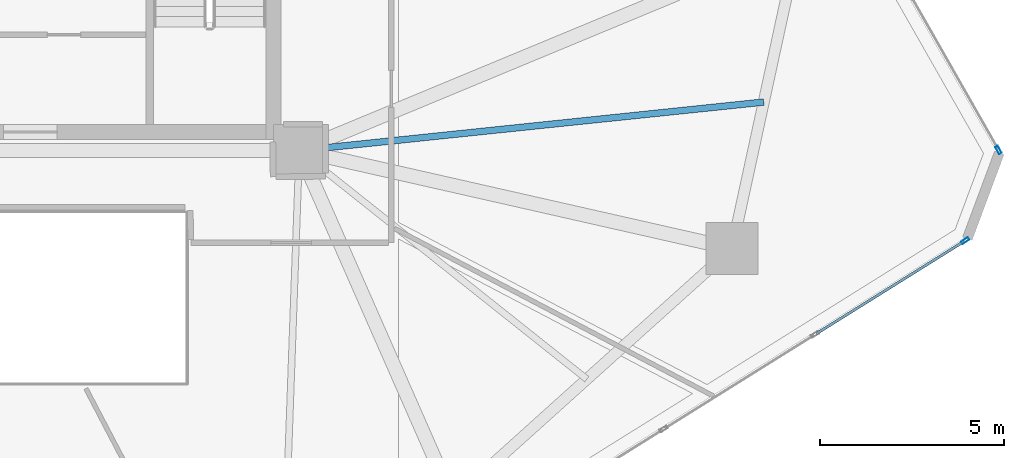
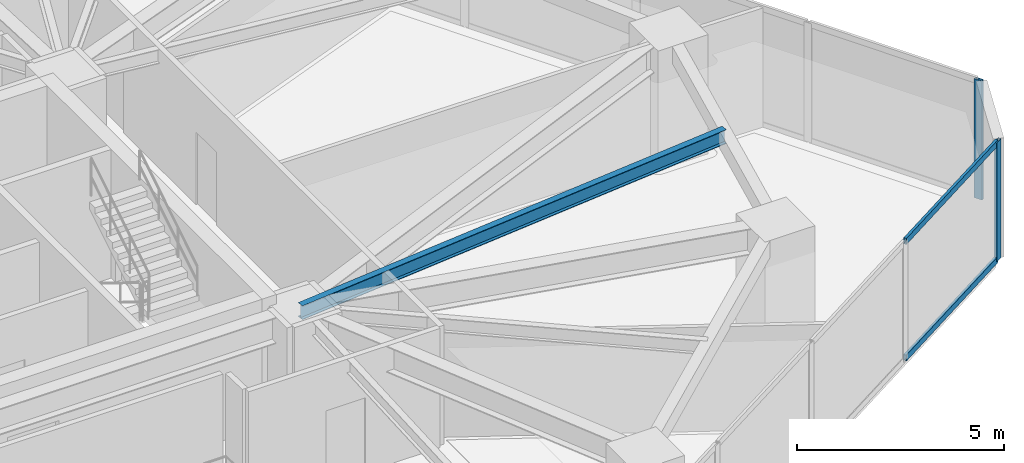
# One storey, part 10 of 22: 4 members, 1 beam, 2 elements without a shape of their own.
"""IFC4 building model written with IfcOpenShell, lengths in metres."""

from ifc_helpers import new_model, si_unit, direction, frame, origin, origin_2d, place, context, subcontext, project, spatial, hollow_rectangle, i_section, extrude, source, transform, mapped, material, layer, layer_set, material_profile, profile_set, type_object, type_shapes, element, aggregate, save


model = new_model("IFC4")

# Units and contexts
model_context = context("Model", 3, precision=1e-05, world=origin(), true_north=direction((0.0, 1.0)))
body_context = subcontext(model_context, "Body", "Model", "MODEL_VIEW")
ifc_project = project(units=[si_unit("LENGTHUNIT", "METRE"), si_unit("AREAUNIT", "SQUARE_METRE"), si_unit("VOLUMEUNIT", "CUBIC_METRE"), si_unit("PLANEANGLEUNIT", "RADIAN"), si_unit("MASSUNIT", "GRAM", prefix="KILO")], contexts=[model_context])

# Site, building, storey
site_placement = place(None, origin())
site = spatial("IfcSite", under=ifc_project, at=site_placement, CompositionType="ELEMENT")
building_placement = place(site_placement, origin())
building = spatial("IfcBuilding", under=site, at=building_placement, Name="Talar Marvaseh", CompositionType="ELEMENT")
storey_placement = place(building_placement, frame((0.0, 0.0, 54.39990234375)))
storey = spatial("IfcBuildingStorey", under=building, at=storey_placement, Name="L13", CompositionType="ELEMENT", Elevation=54.39990234375)

# Beam
ifc_material_1 = material(Name="Steel S355", Category="steel")
ifc_material_profile_1 = material_profile(ifc_material_1, i_section(OverallWidth=0.179931640625, OverallDepth=0.4130859375, WebThickness=0.009765625, FlangeThickness=0.01611328125, at=origin_2d()), Name="W410x75")
ifc_profile_set_1 = profile_set([ifc_material_profile_1], Name="Steel S355")
beam_type = type_object("IfcBeamType", Name="Zone 1 Secondary Floor Joist W410x75", PredefinedType="JOIST", material=ifc_profile_set_1)
beam_placement = place(storey_placement, frame((45.906494140625, 26.81396484375, 3.3134765625), z_axis=(-0.994611955975, -0.103668013538, 0.0), x_axis=(0.103668013538, -0.994611955975, 0.0)))
element("IfcBeam", 1, at=beam_placement, inside=storey, type_object=beam_type, Name="L13 Zone 1 Secondary Floor Joist W410x75", PredefinedType="JOIST", context=body_context, shape_type="SweptSolid", body=[
    extrude(i_section(OverallWidth=0.179931640625, OverallDepth=0.4130859375, WebThickness=0.009765625, FlangeThickness=0.01611328125, at=origin_2d()), origin(), (0.0, 0.0, 1.0), 12.6748046875),
])

# Curtain wall, member
ifc_material_2 = material(Name="Architectural Aluminium", Category="aluminium")
ifc_layer = layer(ifc_material_2, 0.219970703125)
ifc_layer_set = layer_set([ifc_layer], Name="Architectural Aluminium")
curtain_wall_type = type_object("IfcCurtainWallType", Name="Unitised Low-E Museum Curtain Wall Z1", PredefinedType="NOTDEFINED", material=ifc_layer_set)
curtain_wall_1_placement = place(storey_placement, origin())
curtain_wall_1 = element("IfcCurtainWall", 2, at=curtain_wall_1_placement, inside=storey, type_object=curtain_wall_type, Name="L13 Unitised Low-E Museum Curtain Wall Z1", PredefinedType="NOTDEFINED")
ifc_material_profile_2 = material_profile(ifc_material_2, hollow_rectangle(XDim=0.080078125, YDim=0.219970703125, WallThickness=0.0048828125, at=origin_2d()), Name="RHS220x80x5")
ifc_profile_set_2 = profile_set([ifc_material_profile_2], Name="Architectural Aluminium")
member_type_1 = type_object("IfcMemberType", Name="Unitised Curtain Wall Heavy Mullion RHS220x80x5", PredefinedType="MULLION", material=ifc_profile_set_2)
shared_shape_1 = source(origin(), body_context, "Body", "SweptSolid", [
    extrude(hollow_rectangle(XDim=0.080078125, YDim=0.219970703125, WallThickness=0.0048828125, at=origin_2d()), origin(), (0.0, 0.0, 1.0), 3.52001953125),
])
type_shapes(member_type_1, [shared_shape_1])
member_1_placement = place(storey_placement, frame((52.2763671875, 25.5185546875, 0.0), z_axis=(0.0, 0.0, 1.0), x_axis=(0.869028750934, 0.494761589101, 0.0)))
member_1 = element("IfcMember", 3, at=member_1_placement, type_object=member_type_1, Name="CW-Z1 mullion 5", PredefinedType="MULLION", context=body_context, shape_type="MappedRepresentation", body=[
    mapped(shared_shape_1, transform((0.0, 0.0, 0.0), x_axis=(1.0, 0.0, 0.0), y_axis=(0.0, 1.0, 0.0), z_axis=(0.0, 0.0, 1.0), scale=1.0)),
])
aggregate(curtain_wall_1, [member_1])

# Curtain wall, members
curtain_wall_2_placement = place(storey_placement, origin())
curtain_wall_2 = element("IfcCurtainWall", 4, at=curtain_wall_2_placement, inside=storey, type_object=curtain_wall_type, Name="L13 Unitised Low-E Museum Curtain Wall Z1", PredefinedType="NOTDEFINED")
member_2_placement = place(storey_placement, frame((51.374755859375, 23.05419921875, 0.0), z_axis=(0.0, 0.0, 1.0), x_axis=(0.529787438005, -0.848130456081, 0.0)))
member_2 = element("IfcMember", 5, at=member_2_placement, type_object=member_type_1, Name="CW-Z1 mullion 1", PredefinedType="MULLION", context=body_context, shape_type="MappedRepresentation", body=[
    mapped(shared_shape_1, transform((0.0, 0.0, 0.0), x_axis=(1.0, 0.0, 0.0), y_axis=(0.0, 1.0, 0.0), z_axis=(0.0, 0.0, 1.0), scale=1.0)),
])
ifc_material_profile_3 = material_profile(ifc_material_2, hollow_rectangle(XDim=0.074951171875, YDim=0.179931640625, WallThickness=0.0048828125, at=origin_2d()), Name="RHS180x75x5")
ifc_profile_set_3 = profile_set([ifc_material_profile_3], Name="Architectural Aluminium")
member_type_2 = type_object("IfcMemberType", Name="Unitised Curtain Wall Transom RHS180x75x5", PredefinedType="USERDEFINED", material=ifc_profile_set_3)
shared_shape_2 = source(origin(), body_context, "Body", "SweptSolid", [
    extrude(hollow_rectangle(XDim=0.074951171875, YDim=0.179931640625, WallThickness=0.0048828125, at=origin_2d()), origin(), (0.0, 0.0, 1.0), 4.725341796875),
])
type_shapes(member_type_2, [shared_shape_2])
member_3_placement = place(storey_placement, frame((51.341064453125, 23.032958984375, 0.03759765625), z_axis=(-0.848137596868, -0.529776006231, 0.0), x_axis=(0.529776006231, -0.848137596868, 0.0)))
member_3 = element("IfcMember", 6, at=member_3_placement, type_object=member_type_2, Name="CW-Z1 transom 1.1", ObjectType="TRANSOM", PredefinedType="USERDEFINED", context=body_context, shape_type="MappedRepresentation", body=[
    mapped(shared_shape_2, transform((0.0, 0.0, 0.0), x_axis=(1.0, 0.0, 0.0), y_axis=(0.0, 1.0, 0.0), z_axis=(0.0, 0.0, 1.0), scale=1.0)),
])
member_4_placement = place(storey_placement, frame((51.341064453125, 23.032958984375, 3.482666015625), z_axis=(-0.848137596868, -0.529776006231, 0.0), x_axis=(0.529776006231, -0.848137596868, 0.0)))
member_4 = element("IfcMember", 7, at=member_4_placement, type_object=member_type_2, Name="CW-Z1 transom 1.2", ObjectType="TRANSOM", PredefinedType="USERDEFINED", context=body_context, shape_type="MappedRepresentation", body=[
    mapped(shared_shape_2, transform((0.0, 0.0, 0.0), x_axis=(1.0, 0.0, 0.0), y_axis=(0.0, 1.0, 0.0), z_axis=(0.0, 0.0, 1.0), scale=1.0)),
])
aggregate(curtain_wall_2, [member_2, member_3, member_4])

save(model, "model.ifc")
